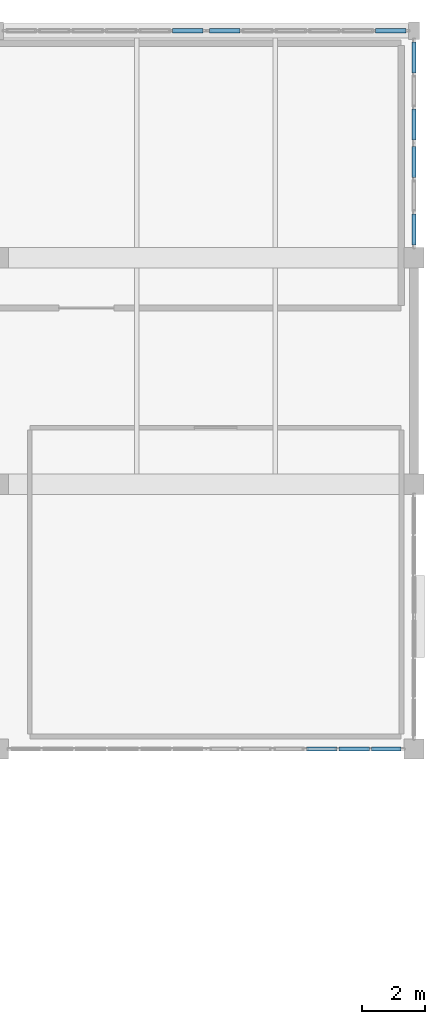
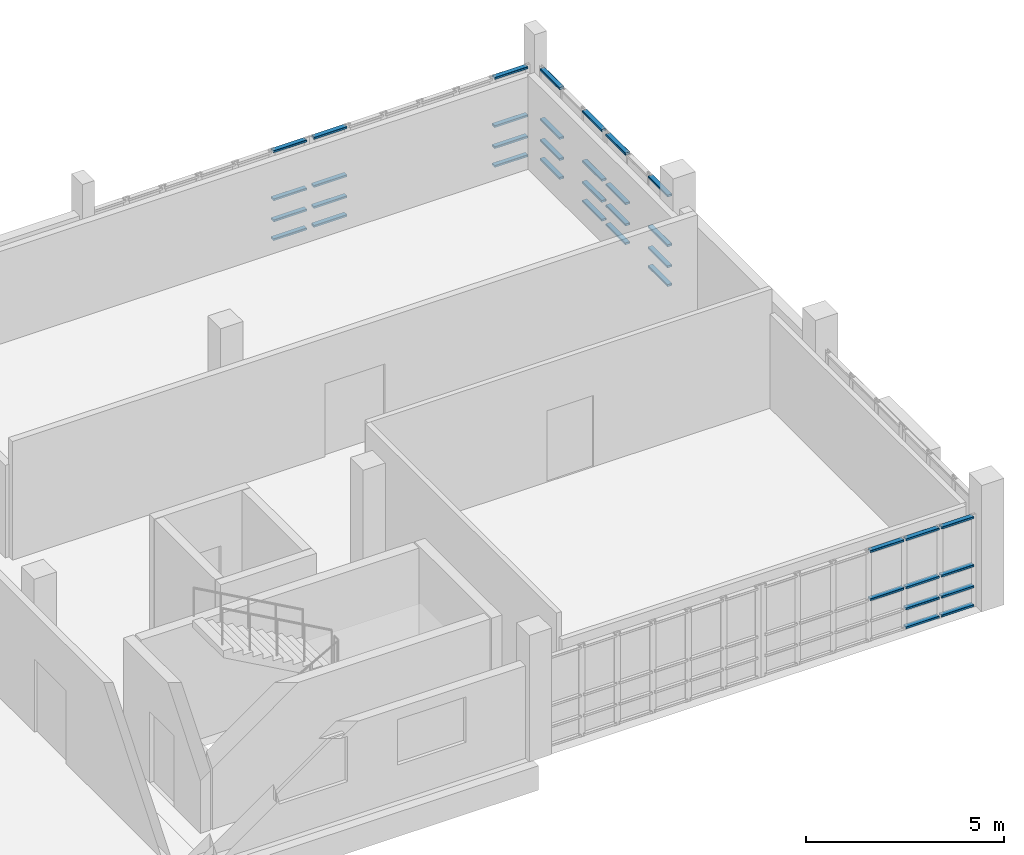
# One storey, part 16 of 25: 38 members, 5 elements without a shape of their own.
"""IFC4 building model written with IfcOpenShell, lengths in metres."""

from ifc_helpers import new_model, si_unit, direction, frame, origin, origin_2d, place, context, subcontext, project, spatial, hollow_rectangle, extrude, material, layer, layer_set, material_profile, profile_set, type_object, element, aggregate, save


model = new_model("IFC4")

# Units and contexts
model_context = context("Model", 3, precision=1e-05, world=origin(), true_north=direction((0.0, 1.0)))
body_context = subcontext(model_context, "Body", "Model", "MODEL_VIEW")
ifc_project = project(units=[si_unit("LENGTHUNIT", "METRE"), si_unit("AREAUNIT", "SQUARE_METRE"), si_unit("VOLUMEUNIT", "CUBIC_METRE"), si_unit("PLANEANGLEUNIT", "RADIAN"), si_unit("MASSUNIT", "GRAM", prefix="KILO")], contexts=[model_context])

# Site, building, storey
site_placement = place(None, origin())
site = spatial("IfcSite", under=ifc_project, at=site_placement, CompositionType="ELEMENT")
building_placement = place(site_placement, origin())
building = spatial("IfcBuilding", under=site, at=building_placement, Name="Kisaragi Civic Commons", CompositionType="ELEMENT")
storey_placement = place(building_placement, frame((0.0, 0.0, 13.5)))
storey = spatial("IfcBuildingStorey", under=building, at=storey_placement, Name="L03", CompositionType="ELEMENT", Elevation=13.5)

# Curtain wall, members
ifc_material = material(Name="Thermally broken anodized aluminium and low-E double glazing", Category="aluminium")
ifc_layer = layer(ifc_material, 0.179931640625, Name="Thermally broken anodized aluminium and low-E double glazing", Category="aluminium")
ifc_layer_set = layer_set([ifc_layer], Name="Thermally broken anodized aluminium and low-E double glazing")
curtain_wall_type = type_object("IfcCurtainWallType", Name="CW-01", PredefinedType="NOTDEFINED", material=ifc_layer_set)
curtain_wall_1_placement = place(storey_placement, origin())
curtain_wall_1 = element("IfcCurtainWall", 1, at=curtain_wall_1_placement, inside=storey, type_object=curtain_wall_type, Name="L03 curtain wall CW-01 CW-V4-L03-101", PredefinedType="NOTDEFINED")
ifc_material_profile = material_profile(ifc_material, hollow_rectangle(XDim=0.139892578125, YDim=0.06494140625, WallThickness=0.00439453125, InnerFilletRadius=0.00439453125, OuterFilletRadius=0.009033203125, at=origin_2d()), Name="CWT-65x140x4.5", Category="aluminium")
ifc_profile_set = profile_set([ifc_material_profile], Name="Thermally broken anodized aluminium and low-E double glazing")
member_type = type_object("IfcMemberType", Name="CWT-02", PredefinedType="USERDEFINED", material=ifc_profile_set)
member_1_placement = place(storey_placement, frame((138.730712890625, 118.800048828125, 0.070068359375), z_axis=(1.0, 0.0, 0.0), x_axis=(0.0, 1.0, 0.0)))
member_1 = element("IfcMember", 2, at=member_1_placement, type_object=member_type, Name="CW-01 transom 6.1", ObjectType="TRANSOM", PredefinedType="USERDEFINED", context=body_context, shape_type="SweptSolid", body=[
    extrude(hollow_rectangle(XDim=0.139892578125, YDim=0.06494140625, WallThickness=0.00439453125, InnerFilletRadius=0.00439453125, OuterFilletRadius=0.009033203125, at=origin_2d()), origin(), (0.0, 0.0, 1.0), 0.96435546875),
])
member_2_placement = place(storey_placement, frame((138.730712890625, 118.800048828125, 0.64990234375), z_axis=(1.0, 0.0, 0.0), x_axis=(0.0, 1.0, 0.0)))
member_2 = element("IfcMember", 3, at=member_2_placement, type_object=member_type, Name="CW-01 transom 6.2", ObjectType="TRANSOM", PredefinedType="USERDEFINED", context=body_context, shape_type="SweptSolid", body=[
    extrude(hollow_rectangle(XDim=0.139892578125, YDim=0.06494140625, WallThickness=0.00439453125, InnerFilletRadius=0.00439453125, OuterFilletRadius=0.009033203125, at=origin_2d()), origin(), (0.0, 0.0, 1.0), 0.96435546875),
])
member_3_placement = place(storey_placement, frame((138.730712890625, 118.800048828125, 1.300048828125), z_axis=(1.0, 0.0, 0.0), x_axis=(0.0, 1.0, 0.0)))
member_3 = element("IfcMember", 4, at=member_3_placement, type_object=member_type, Name="CW-01 transom 6.3", ObjectType="TRANSOM", PredefinedType="USERDEFINED", context=body_context, shape_type="SweptSolid", body=[
    extrude(hollow_rectangle(XDim=0.139892578125, YDim=0.06494140625, WallThickness=0.00439453125, InnerFilletRadius=0.00439453125, OuterFilletRadius=0.009033203125, at=origin_2d()), origin(), (0.0, 0.0, 1.0), 0.96435546875),
])
member_4_placement = place(storey_placement, frame((138.730712890625, 118.800048828125, 2.784912109375), z_axis=(1.0, 0.0, 0.0), x_axis=(0.0, 1.0, 0.0)))
member_4 = element("IfcMember", 5, at=member_4_placement, type_object=member_type, Name="CW-01 transom 6.4", ObjectType="TRANSOM", PredefinedType="USERDEFINED", context=body_context, shape_type="SweptSolid", body=[
    extrude(hollow_rectangle(XDim=0.139892578125, YDim=0.06494140625, WallThickness=0.00439453125, InnerFilletRadius=0.00439453125, OuterFilletRadius=0.009033203125, at=origin_2d()), origin(), (0.0, 0.0, 1.0), 0.96435546875),
])
aggregate(curtain_wall_1, [member_1, member_2, member_3, member_4])

curtain_wall_2_placement = place(storey_placement, origin())
curtain_wall_2 = element("IfcCurtainWall", 6, at=curtain_wall_2_placement, inside=storey, type_object=curtain_wall_type, Name="L03 curtain wall CW-01 CW-V4-L03-102", PredefinedType="NOTDEFINED")
member_5_placement = place(storey_placement, frame((139.905029296875, 118.800048828125, 0.070068359375), z_axis=(1.0, 0.0, 0.0), x_axis=(0.0, 1.0, 0.0)))
member_5 = element("IfcMember", 7, at=member_5_placement, type_object=member_type, Name="CW-01 transom 1.1", ObjectType="TRANSOM", PredefinedType="USERDEFINED", context=body_context, shape_type="SweptSolid", body=[
    extrude(hollow_rectangle(XDim=0.139892578125, YDim=0.06494140625, WallThickness=0.00439453125, InnerFilletRadius=0.00439453125, OuterFilletRadius=0.009033203125, at=origin_2d()), origin(), (0.0, 0.0, 1.0), 0.964111328125),
])
member_6_placement = place(storey_placement, frame((139.905029296875, 118.800048828125, 0.64990234375), z_axis=(1.0, 0.0, 0.0), x_axis=(0.0, 1.0, 0.0)))
member_6 = element("IfcMember", 8, at=member_6_placement, type_object=member_type, Name="CW-01 transom 1.2", ObjectType="TRANSOM", PredefinedType="USERDEFINED", context=body_context, shape_type="SweptSolid", body=[
    extrude(hollow_rectangle(XDim=0.139892578125, YDim=0.06494140625, WallThickness=0.00439453125, InnerFilletRadius=0.00439453125, OuterFilletRadius=0.009033203125, at=origin_2d()), origin(), (0.0, 0.0, 1.0), 0.964111328125),
])
member_7_placement = place(storey_placement, frame((139.905029296875, 118.800048828125, 1.300048828125), z_axis=(1.0, 0.0, 0.0), x_axis=(0.0, 1.0, 0.0)))
member_7 = element("IfcMember", 9, at=member_7_placement, type_object=member_type, Name="CW-01 transom 1.3", ObjectType="TRANSOM", PredefinedType="USERDEFINED", context=body_context, shape_type="SweptSolid", body=[
    extrude(hollow_rectangle(XDim=0.139892578125, YDim=0.06494140625, WallThickness=0.00439453125, InnerFilletRadius=0.00439453125, OuterFilletRadius=0.009033203125, at=origin_2d()), origin(), (0.0, 0.0, 1.0), 0.964111328125),
])
member_8_placement = place(storey_placement, frame((139.905029296875, 118.800048828125, 2.784912109375), z_axis=(1.0, 0.0, 0.0), x_axis=(0.0, 1.0, 0.0)))
member_8 = element("IfcMember", 10, at=member_8_placement, type_object=member_type, Name="CW-01 transom 1.4", ObjectType="TRANSOM", PredefinedType="USERDEFINED", context=body_context, shape_type="SweptSolid", body=[
    extrude(hollow_rectangle(XDim=0.139892578125, YDim=0.06494140625, WallThickness=0.00439453125, InnerFilletRadius=0.00439453125, OuterFilletRadius=0.009033203125, at=origin_2d()), origin(), (0.0, 0.0, 1.0), 0.964111328125),
])
member_9_placement = place(storey_placement, frame((145.180908203125, 118.800048828125, 0.070068359375), z_axis=(1.0, 0.0, 0.0), x_axis=(0.0, 1.0, 0.0)))
member_9 = element("IfcMember", 11, at=member_9_placement, type_object=member_type, Name="CW-01 transom 6.1", ObjectType="TRANSOM", PredefinedType="USERDEFINED", context=body_context, shape_type="SweptSolid", body=[
    extrude(hollow_rectangle(XDim=0.139892578125, YDim=0.06494140625, WallThickness=0.00439453125, InnerFilletRadius=0.00439453125, OuterFilletRadius=0.009033203125, at=origin_2d()), origin(), (0.0, 0.0, 1.0), 0.964111328125),
])
member_10_placement = place(storey_placement, frame((145.180908203125, 118.800048828125, 0.64990234375), z_axis=(1.0, 0.0, 0.0), x_axis=(0.0, 1.0, 0.0)))
member_10 = element("IfcMember", 12, at=member_10_placement, type_object=member_type, Name="CW-01 transom 6.2", ObjectType="TRANSOM", PredefinedType="USERDEFINED", context=body_context, shape_type="SweptSolid", body=[
    extrude(hollow_rectangle(XDim=0.139892578125, YDim=0.06494140625, WallThickness=0.00439453125, InnerFilletRadius=0.00439453125, OuterFilletRadius=0.009033203125, at=origin_2d()), origin(), (0.0, 0.0, 1.0), 0.964111328125),
])
member_11_placement = place(storey_placement, frame((145.180908203125, 118.800048828125, 1.300048828125), z_axis=(1.0, 0.0, 0.0), x_axis=(0.0, 1.0, 0.0)))
member_11 = element("IfcMember", 13, at=member_11_placement, type_object=member_type, Name="CW-01 transom 6.3", ObjectType="TRANSOM", PredefinedType="USERDEFINED", context=body_context, shape_type="SweptSolid", body=[
    extrude(hollow_rectangle(XDim=0.139892578125, YDim=0.06494140625, WallThickness=0.00439453125, InnerFilletRadius=0.00439453125, OuterFilletRadius=0.009033203125, at=origin_2d()), origin(), (0.0, 0.0, 1.0), 0.964111328125),
])
member_12_placement = place(storey_placement, frame((145.180908203125, 118.800048828125, 2.784912109375), z_axis=(1.0, 0.0, 0.0), x_axis=(0.0, 1.0, 0.0)))
member_12 = element("IfcMember", 14, at=member_12_placement, type_object=member_type, Name="CW-01 transom 6.4", ObjectType="TRANSOM", PredefinedType="USERDEFINED", context=body_context, shape_type="SweptSolid", body=[
    extrude(hollow_rectangle(XDim=0.139892578125, YDim=0.06494140625, WallThickness=0.00439453125, InnerFilletRadius=0.00439453125, OuterFilletRadius=0.009033203125, at=origin_2d()), origin(), (0.0, 0.0, 1.0), 0.964111328125),
])
aggregate(curtain_wall_2, [member_5, member_6, member_7, member_8, member_9, member_10, member_11, member_12])

curtain_wall_3_placement = place(storey_placement, origin())
curtain_wall_3 = element("IfcCurtainWall", 15, at=curtain_wall_3_placement, inside=storey, type_object=curtain_wall_type, Name="L03 curtain wall CW-01 CW-V4-L03-103", PredefinedType="NOTDEFINED")
member_13_placement = place(storey_placement, frame((146.39990234375, 118.445068359375, 0.070068359375), z_axis=(0.0, -1.0, 0.0), x_axis=(1.0, 0.0, 0.0)))
member_13 = element("IfcMember", 16, at=member_13_placement, type_object=member_type, Name="CW-01 transom 1.1", ObjectType="TRANSOM", PredefinedType="USERDEFINED", context=body_context, shape_type="SweptSolid", body=[
    extrude(hollow_rectangle(XDim=0.139892578125, YDim=0.06494140625, WallThickness=0.00439453125, InnerFilletRadius=0.00439453125, OuterFilletRadius=0.009033203125, at=origin_2d()), origin(), (0.0, 0.0, 1.0), 0.984130859375),
])
member_14_placement = place(storey_placement, frame((146.39990234375, 118.445068359375, 0.64990234375), z_axis=(0.0, -1.0, 0.0), x_axis=(1.0, 0.0, 0.0)))
member_14 = element("IfcMember", 17, at=member_14_placement, type_object=member_type, Name="CW-01 transom 1.2", ObjectType="TRANSOM", PredefinedType="USERDEFINED", context=body_context, shape_type="SweptSolid", body=[
    extrude(hollow_rectangle(XDim=0.139892578125, YDim=0.06494140625, WallThickness=0.00439453125, InnerFilletRadius=0.00439453125, OuterFilletRadius=0.009033203125, at=origin_2d()), origin(), (0.0, 0.0, 1.0), 0.984130859375),
])
member_15_placement = place(storey_placement, frame((146.39990234375, 118.445068359375, 1.300048828125), z_axis=(0.0, -1.0, 0.0), x_axis=(1.0, 0.0, 0.0)))
member_15 = element("IfcMember", 18, at=member_15_placement, type_object=member_type, Name="CW-01 transom 1.3", ObjectType="TRANSOM", PredefinedType="USERDEFINED", context=body_context, shape_type="SweptSolid", body=[
    extrude(hollow_rectangle(XDim=0.139892578125, YDim=0.06494140625, WallThickness=0.00439453125, InnerFilletRadius=0.00439453125, OuterFilletRadius=0.009033203125, at=origin_2d()), origin(), (0.0, 0.0, 1.0), 0.984130859375),
])
member_16_placement = place(storey_placement, frame((146.39990234375, 118.445068359375, 2.8349609375), z_axis=(0.0, -1.0, 0.0), x_axis=(1.0, 0.0, 0.0)))
member_16 = element("IfcMember", 19, at=member_16_placement, type_object=member_type, Name="CW-01 transom 1.4", ObjectType="TRANSOM", PredefinedType="USERDEFINED", context=body_context, shape_type="SweptSolid", body=[
    extrude(hollow_rectangle(XDim=0.139892578125, YDim=0.06494140625, WallThickness=0.00439453125, InnerFilletRadius=0.00439453125, OuterFilletRadius=0.009033203125, at=origin_2d()), origin(), (0.0, 0.0, 1.0), 0.984130859375),
])
member_17_placement = place(storey_placement, frame((146.39990234375, 116.314208984375, 0.070068359375), z_axis=(0.0, -1.0, 0.0), x_axis=(1.0, 0.0, 0.0)))
member_17 = element("IfcMember", 20, at=member_17_placement, type_object=member_type, Name="CW-01 transom 3.1", ObjectType="TRANSOM", PredefinedType="USERDEFINED", context=body_context, shape_type="SweptSolid", body=[
    extrude(hollow_rectangle(XDim=0.139892578125, YDim=0.06494140625, WallThickness=0.00439453125, InnerFilletRadius=0.00439453125, OuterFilletRadius=0.009033203125, at=origin_2d()), origin(), (0.0, 0.0, 1.0), 0.984130859375),
])
member_18_placement = place(storey_placement, frame((146.39990234375, 116.314208984375, 0.64990234375), z_axis=(0.0, -1.0, 0.0), x_axis=(1.0, 0.0, 0.0)))
member_18 = element("IfcMember", 21, at=member_18_placement, type_object=member_type, Name="CW-01 transom 3.2", ObjectType="TRANSOM", PredefinedType="USERDEFINED", context=body_context, shape_type="SweptSolid", body=[
    extrude(hollow_rectangle(XDim=0.139892578125, YDim=0.06494140625, WallThickness=0.00439453125, InnerFilletRadius=0.00439453125, OuterFilletRadius=0.009033203125, at=origin_2d()), origin(), (0.0, 0.0, 1.0), 0.984130859375),
])
member_19_placement = place(storey_placement, frame((146.39990234375, 116.314208984375, 1.300048828125), z_axis=(0.0, -1.0, 0.0), x_axis=(1.0, 0.0, 0.0)))
member_19 = element("IfcMember", 22, at=member_19_placement, type_object=member_type, Name="CW-01 transom 3.3", ObjectType="TRANSOM", PredefinedType="USERDEFINED", context=body_context, shape_type="SweptSolid", body=[
    extrude(hollow_rectangle(XDim=0.139892578125, YDim=0.06494140625, WallThickness=0.00439453125, InnerFilletRadius=0.00439453125, OuterFilletRadius=0.009033203125, at=origin_2d()), origin(), (0.0, 0.0, 1.0), 0.984130859375),
])
member_20_placement = place(storey_placement, frame((146.39990234375, 116.314208984375, 2.8349609375), z_axis=(0.0, -1.0, 0.0), x_axis=(1.0, 0.0, 0.0)))
member_20 = element("IfcMember", 23, at=member_20_placement, type_object=member_type, Name="CW-01 transom 3.4", ObjectType="TRANSOM", PredefinedType="USERDEFINED", context=body_context, shape_type="SweptSolid", body=[
    extrude(hollow_rectangle(XDim=0.139892578125, YDim=0.06494140625, WallThickness=0.00439453125, InnerFilletRadius=0.00439453125, OuterFilletRadius=0.009033203125, at=origin_2d()), origin(), (0.0, 0.0, 1.0), 0.984130859375),
])
aggregate(curtain_wall_3, [member_13, member_14, member_15, member_16, member_17, member_18, member_19, member_20])

curtain_wall_4_placement = place(storey_placement, origin())
curtain_wall_4 = element("IfcCurtainWall", 24, at=curtain_wall_4_placement, inside=storey, type_object=curtain_wall_type, Name="L03 curtain wall CW-01 CW-V4-L03-104", PredefinedType="NOTDEFINED")
member_21_placement = place(storey_placement, frame((146.39990234375, 115.1201171875, 0.070068359375), z_axis=(0.0, -1.0, 0.0), x_axis=(1.0, 0.0, 0.0)))
member_21 = element("IfcMember", 25, at=member_21_placement, type_object=member_type, Name="CW-01 transom 1.1", ObjectType="TRANSOM", PredefinedType="USERDEFINED", context=body_context, shape_type="SweptSolid", body=[
    extrude(hollow_rectangle(XDim=0.139892578125, YDim=0.06494140625, WallThickness=0.00439453125, InnerFilletRadius=0.00439453125, OuterFilletRadius=0.009033203125, at=origin_2d()), origin(), (0.0, 0.0, 1.0), 0.984375),
])
member_22_placement = place(storey_placement, frame((146.39990234375, 115.1201171875, 0.64990234375), z_axis=(0.0, -1.0, 0.0), x_axis=(1.0, 0.0, 0.0)))
member_22 = element("IfcMember", 26, at=member_22_placement, type_object=member_type, Name="CW-01 transom 1.2", ObjectType="TRANSOM", PredefinedType="USERDEFINED", context=body_context, shape_type="SweptSolid", body=[
    extrude(hollow_rectangle(XDim=0.139892578125, YDim=0.06494140625, WallThickness=0.00439453125, InnerFilletRadius=0.00439453125, OuterFilletRadius=0.009033203125, at=origin_2d()), origin(), (0.0, 0.0, 1.0), 0.984375),
])
member_23_placement = place(storey_placement, frame((146.39990234375, 115.1201171875, 1.300048828125), z_axis=(0.0, -1.0, 0.0), x_axis=(1.0, 0.0, 0.0)))
member_23 = element("IfcMember", 27, at=member_23_placement, type_object=member_type, Name="CW-01 transom 1.3", ObjectType="TRANSOM", PredefinedType="USERDEFINED", context=body_context, shape_type="SweptSolid", body=[
    extrude(hollow_rectangle(XDim=0.139892578125, YDim=0.06494140625, WallThickness=0.00439453125, InnerFilletRadius=0.00439453125, OuterFilletRadius=0.009033203125, at=origin_2d()), origin(), (0.0, 0.0, 1.0), 0.984375),
])
member_24_placement = place(storey_placement, frame((146.39990234375, 115.1201171875, 2.8349609375), z_axis=(0.0, -1.0, 0.0), x_axis=(1.0, 0.0, 0.0)))
member_24 = element("IfcMember", 28, at=member_24_placement, type_object=member_type, Name="CW-01 transom 1.4", ObjectType="TRANSOM", PredefinedType="USERDEFINED", context=body_context, shape_type="SweptSolid", body=[
    extrude(hollow_rectangle(XDim=0.139892578125, YDim=0.06494140625, WallThickness=0.00439453125, InnerFilletRadius=0.00439453125, OuterFilletRadius=0.009033203125, at=origin_2d()), origin(), (0.0, 0.0, 1.0), 0.984375),
])
member_25_placement = place(storey_placement, frame((146.39990234375, 112.9892578125, 0.070068359375), z_axis=(0.0, -1.0, 0.0), x_axis=(1.0, 0.0, 0.0)))
member_25 = element("IfcMember", 29, at=member_25_placement, type_object=member_type, Name="CW-01 transom 3.1", ObjectType="TRANSOM", PredefinedType="USERDEFINED", context=body_context, shape_type="SweptSolid", body=[
    extrude(hollow_rectangle(XDim=0.139892578125, YDim=0.06494140625, WallThickness=0.00439453125, InnerFilletRadius=0.00439453125, OuterFilletRadius=0.009033203125, at=origin_2d()), origin(), (0.0, 0.0, 1.0), 0.984375),
])
member_26_placement = place(storey_placement, frame((146.39990234375, 112.9892578125, 0.64990234375), z_axis=(0.0, -1.0, 0.0), x_axis=(1.0, 0.0, 0.0)))
member_26 = element("IfcMember", 30, at=member_26_placement, type_object=member_type, Name="CW-01 transom 3.2", ObjectType="TRANSOM", PredefinedType="USERDEFINED", context=body_context, shape_type="SweptSolid", body=[
    extrude(hollow_rectangle(XDim=0.139892578125, YDim=0.06494140625, WallThickness=0.00439453125, InnerFilletRadius=0.00439453125, OuterFilletRadius=0.009033203125, at=origin_2d()), origin(), (0.0, 0.0, 1.0), 0.984375),
])
member_27_placement = place(storey_placement, frame((146.39990234375, 112.9892578125, 1.300048828125), z_axis=(0.0, -1.0, 0.0), x_axis=(1.0, 0.0, 0.0)))
member_27 = element("IfcMember", 31, at=member_27_placement, type_object=member_type, Name="CW-01 transom 3.3", ObjectType="TRANSOM", PredefinedType="USERDEFINED", context=body_context, shape_type="SweptSolid", body=[
    extrude(hollow_rectangle(XDim=0.139892578125, YDim=0.06494140625, WallThickness=0.00439453125, InnerFilletRadius=0.00439453125, OuterFilletRadius=0.009033203125, at=origin_2d()), origin(), (0.0, 0.0, 1.0), 0.984375),
])
member_28_placement = place(storey_placement, frame((146.39990234375, 112.9892578125, 2.8349609375), z_axis=(0.0, -1.0, 0.0), x_axis=(1.0, 0.0, 0.0)))
member_28 = element("IfcMember", 32, at=member_28_placement, type_object=member_type, Name="CW-01 transom 3.4", ObjectType="TRANSOM", PredefinedType="USERDEFINED", context=body_context, shape_type="SweptSolid", body=[
    extrude(hollow_rectangle(XDim=0.139892578125, YDim=0.06494140625, WallThickness=0.00439453125, InnerFilletRadius=0.00439453125, OuterFilletRadius=0.009033203125, at=origin_2d()), origin(), (0.0, 0.0, 1.0), 0.984375),
])
aggregate(curtain_wall_4, [member_21, member_22, member_23, member_24, member_25, member_26, member_27, member_28])

curtain_wall_5_placement = place(storey_placement, origin())
curtain_wall_5 = element("IfcCurtainWall", 33, at=curtain_wall_5_placement, inside=storey, type_object=curtain_wall_type, Name="L03 curtain wall CW-01 CW-V4-L03-107", PredefinedType="NOTDEFINED")
member_29_placement = place(storey_placement, frame((145.9951171875, 96.0, 0.070068359375), z_axis=(-1.0, 0.0, 0.0), x_axis=(0.0, -1.0, 0.0)))
member_29 = element("IfcMember", 34, at=member_29_placement, type_object=member_type, Name="CW-01 transom 1.1", ObjectType="TRANSOM", PredefinedType="USERDEFINED", context=body_context, shape_type="SweptSolid", body=[
    extrude(hollow_rectangle(XDim=0.139892578125, YDim=0.06494140625, WallThickness=0.00439453125, InnerFilletRadius=0.00439453125, OuterFilletRadius=0.009033203125, at=origin_2d()), origin(), (0.0, 0.0, 1.0), 0.939208984375),
])
member_30_placement = place(storey_placement, frame((145.9951171875, 96.0, 0.64990234375), z_axis=(-1.0, 0.0, 0.0), x_axis=(0.0, -1.0, 0.0)))
member_30 = element("IfcMember", 35, at=member_30_placement, type_object=member_type, Name="CW-01 transom 1.2", ObjectType="TRANSOM", PredefinedType="USERDEFINED", context=body_context, shape_type="SweptSolid", body=[
    extrude(hollow_rectangle(XDim=0.139892578125, YDim=0.06494140625, WallThickness=0.00439453125, InnerFilletRadius=0.00439453125, OuterFilletRadius=0.009033203125, at=origin_2d()), origin(), (0.0, 0.0, 1.0), 0.939208984375),
])
member_31_placement = place(storey_placement, frame((145.9951171875, 96.0, 1.300048828125), z_axis=(-1.0, 0.0, 0.0), x_axis=(0.0, -1.0, 0.0)))
member_31 = element("IfcMember", 36, at=member_31_placement, type_object=member_type, Name="CW-01 transom 1.3", ObjectType="TRANSOM", PredefinedType="USERDEFINED", context=body_context, shape_type="SweptSolid", body=[
    extrude(hollow_rectangle(XDim=0.139892578125, YDim=0.06494140625, WallThickness=0.00439453125, InnerFilletRadius=0.00439453125, OuterFilletRadius=0.009033203125, at=origin_2d()), origin(), (0.0, 0.0, 1.0), 0.939208984375),
])
member_32_placement = place(storey_placement, frame((145.9951171875, 96.0, 2.784912109375), z_axis=(-1.0, 0.0, 0.0), x_axis=(0.0, -1.0, 0.0)))
member_32 = element("IfcMember", 37, at=member_32_placement, type_object=member_type, Name="CW-01 transom 1.4", ObjectType="TRANSOM", PredefinedType="USERDEFINED", context=body_context, shape_type="SweptSolid", body=[
    extrude(hollow_rectangle(XDim=0.139892578125, YDim=0.06494140625, WallThickness=0.00439453125, InnerFilletRadius=0.00439453125, OuterFilletRadius=0.009033203125, at=origin_2d()), origin(), (0.0, 0.0, 1.0), 0.939208984375),
])
member_33_placement = place(storey_placement, frame((144.99072265625, 96.0, 0.070068359375), z_axis=(-1.0, 0.0, 0.0), x_axis=(0.0, -1.0, 0.0)))
member_33 = element("IfcMember", 38, at=member_33_placement, type_object=member_type, Name="CW-01 transom 2.1", ObjectType="TRANSOM", PredefinedType="USERDEFINED", context=body_context, shape_type="SweptSolid", body=[
    extrude(hollow_rectangle(XDim=0.139892578125, YDim=0.06494140625, WallThickness=0.00439453125, InnerFilletRadius=0.00439453125, OuterFilletRadius=0.009033203125, at=origin_2d()), origin(), (0.0, 0.0, 1.0), 0.971435546875),
])
member_34_placement = place(storey_placement, frame((144.99072265625, 96.0, 0.64990234375), z_axis=(-1.0, 0.0, 0.0), x_axis=(0.0, -1.0, 0.0)))
member_34 = element("IfcMember", 39, at=member_34_placement, type_object=member_type, Name="CW-01 transom 2.2", ObjectType="TRANSOM", PredefinedType="USERDEFINED", context=body_context, shape_type="SweptSolid", body=[
    extrude(hollow_rectangle(XDim=0.139892578125, YDim=0.06494140625, WallThickness=0.00439453125, InnerFilletRadius=0.00439453125, OuterFilletRadius=0.009033203125, at=origin_2d()), origin(), (0.0, 0.0, 1.0), 0.971435546875),
])
member_35_placement = place(storey_placement, frame((144.99072265625, 96.0, 1.300048828125), z_axis=(-1.0, 0.0, 0.0), x_axis=(0.0, -1.0, 0.0)))
member_35 = element("IfcMember", 40, at=member_35_placement, type_object=member_type, Name="CW-01 transom 2.3", ObjectType="TRANSOM", PredefinedType="USERDEFINED", context=body_context, shape_type="SweptSolid", body=[
    extrude(hollow_rectangle(XDim=0.139892578125, YDim=0.06494140625, WallThickness=0.00439453125, InnerFilletRadius=0.00439453125, OuterFilletRadius=0.009033203125, at=origin_2d()), origin(), (0.0, 0.0, 1.0), 0.971435546875),
])
member_36_placement = place(storey_placement, frame((144.99072265625, 96.0, 2.784912109375), z_axis=(-1.0, 0.0, 0.0), x_axis=(0.0, -1.0, 0.0)))
member_36 = element("IfcMember", 41, at=member_36_placement, type_object=member_type, Name="CW-01 transom 2.4", ObjectType="TRANSOM", PredefinedType="USERDEFINED", context=body_context, shape_type="SweptSolid", body=[
    extrude(hollow_rectangle(XDim=0.139892578125, YDim=0.06494140625, WallThickness=0.00439453125, InnerFilletRadius=0.00439453125, OuterFilletRadius=0.009033203125, at=origin_2d()), origin(), (0.0, 0.0, 1.0), 0.971435546875),
])
member_37_placement = place(storey_placement, frame((143.9541015625, 96.0, 1.300048828125), z_axis=(-1.0, 0.0, 0.0), x_axis=(0.0, -1.0, 0.0)))
member_37 = element("IfcMember", 42, at=member_37_placement, type_object=member_type, Name="CW-01 transom 3.3", ObjectType="TRANSOM", PredefinedType="USERDEFINED", context=body_context, shape_type="SweptSolid", body=[
    extrude(hollow_rectangle(XDim=0.139892578125, YDim=0.06494140625, WallThickness=0.00439453125, InnerFilletRadius=0.00439453125, OuterFilletRadius=0.009033203125, at=origin_2d()), origin(), (0.0, 0.0, 1.0), 0.9716796875),
])
member_38_placement = place(storey_placement, frame((143.9541015625, 96.0, 2.784912109375), z_axis=(-1.0, 0.0, 0.0), x_axis=(0.0, -1.0, 0.0)))
member_38 = element("IfcMember", 43, at=member_38_placement, type_object=member_type, Name="CW-01 transom 3.4", ObjectType="TRANSOM", PredefinedType="USERDEFINED", context=body_context, shape_type="SweptSolid", body=[
    extrude(hollow_rectangle(XDim=0.139892578125, YDim=0.06494140625, WallThickness=0.00439453125, InnerFilletRadius=0.00439453125, OuterFilletRadius=0.009033203125, at=origin_2d()), origin(), (0.0, 0.0, 1.0), 0.9716796875),
])
aggregate(curtain_wall_5, [member_29, member_30, member_31, member_32, member_33, member_34, member_35, member_36, member_37, member_38])

save(model, "model.ifc")
